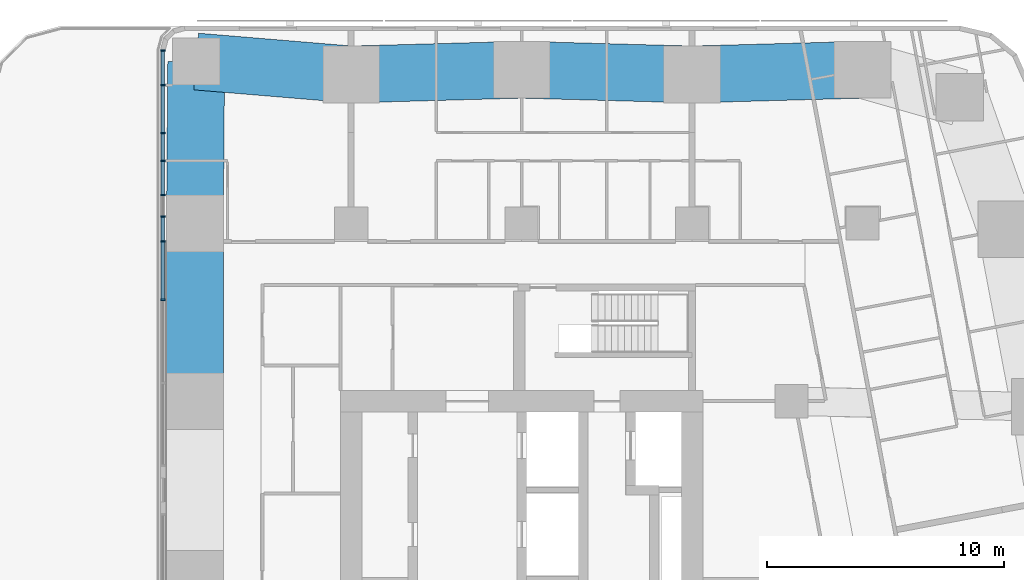
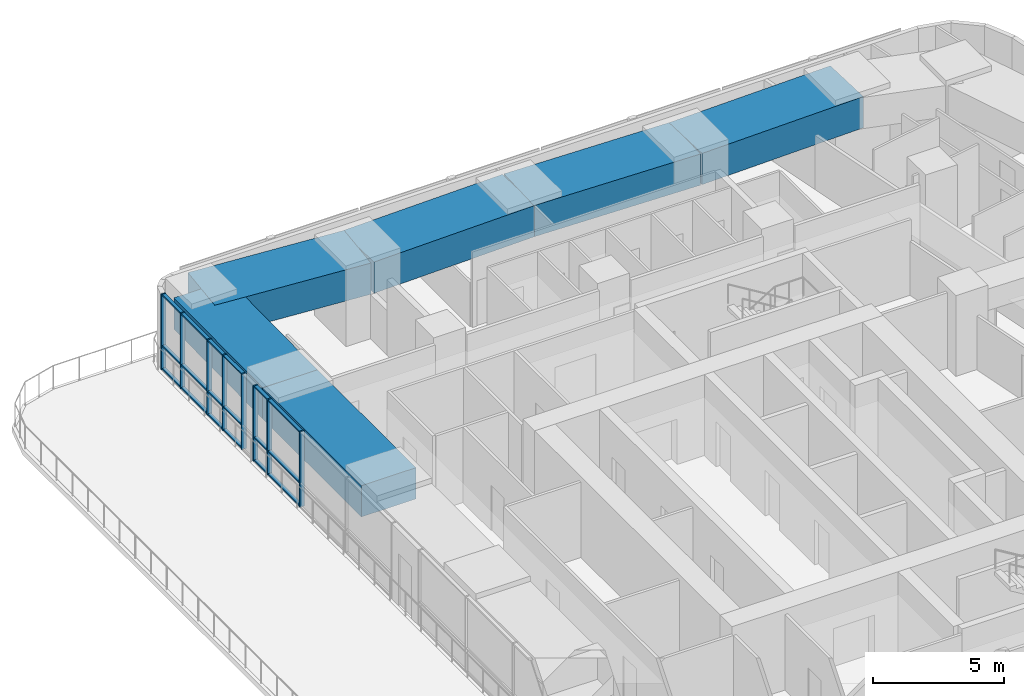
# One storey, part 5 of 17: 26 members, 6 beams, 1 element without a shape of its own.
"""IFC4 building model written with IfcOpenShell, lengths in metres."""

from ifc_helpers import new_model, si_unit, direction, frame, origin, origin_2d, place, context, subcontext, project, spatial, rectangle, extrude, material, material_profile, profile_set, type_object, element, aggregate, save


model = new_model("IFC4")

# Units and contexts
model_context = context("Model", 3, precision=1e-05, world=origin(), true_north=direction((0.0, 1.0)))
body_context = subcontext(model_context, "Body", "Model", "MODEL_VIEW")
ifc_project = project(units=[si_unit("LENGTHUNIT", "METRE"), si_unit("AREAUNIT", "SQUARE_METRE"), si_unit("VOLUMEUNIT", "CUBIC_METRE"), si_unit("PLANEANGLEUNIT", "RADIAN"), si_unit("MASSUNIT", "GRAM", prefix="KILO")], contexts=[model_context])

# Site, building, storey
site_placement = place(None, origin())
site = spatial("IfcSite", under=ifc_project, at=site_placement, CompositionType="ELEMENT")
building_placement = place(site_placement, origin())
building = spatial("IfcBuilding", under=site, at=building_placement, Name="Sheger Commons Tower", CompositionType="ELEMENT")
storey_placement = place(building_placement, frame((0.0, 0.0, 193.699951171875)))
storey = spatial("IfcBuildingStorey", under=building, at=storey_placement, Name="L49", CompositionType="ELEMENT", Elevation=193.699951171875)

# Curtain wall, members
ifc_material_1 = material(Name="Black aluminium curtain wall, dark tinted glazing", Category="aluminium")
curtain_wall_type = type_object("IfcCurtainWallType", Name="CURTAIN WALL CW4 GALLERY", PredefinedType="USERDEFINED", material=ifc_material_1)
curtain_wall_placement = place(storey_placement, origin())
curtain_wall = element("IfcCurtainWall", 1, at=curtain_wall_placement, inside=storey, type_object=curtain_wall_type, Name="Curtain Wall Cw4 Gallery W1 L49", ObjectType="UNITISED CURTAIN WALL", PredefinedType="USERDEFINED")
ifc_material_2 = material(Name="Black anodised aluminium", Category="aluminium")
ifc_material_profile_1 = material_profile(ifc_material_2, rectangle(XDim=0.199951171875, YDim=0.06494140625, at=origin_2d()), Name="AL 65x200")
ifc_profile_set_1 = profile_set([ifc_material_profile_1], Name="Black anodised aluminium")
member_type_1 = type_object("IfcMemberType", Name="MULLION AL 65x200", PredefinedType="MULLION", material=ifc_profile_set_1)
member_1_placement = place(storey_placement, frame((6.449951171875, 44.804443359375, 0.0), z_axis=(0.0, 0.0, 1.0), x_axis=(1.0, 0.0, 0.0)))
member_1 = element("IfcMember", 2, at=member_1_placement, type_object=member_type_1, Name="CW4 mullion 1", PredefinedType="MULLION", context=body_context, shape_type="SweptSolid", body=[
    extrude(rectangle(XDim=0.199951171875, YDim=0.06494140625, at=origin_2d()), origin(), (0.0, 0.0, 1.0), 3.5),
])
member_2_placement = place(storey_placement, frame((6.449951171875, 43.345947265625, 0.0), z_axis=(0.0, 0.0, 1.0), x_axis=(1.0, 0.0, 0.0)))
member_2 = element("IfcMember", 3, at=member_2_placement, type_object=member_type_1, Name="CW4 mullion 2", PredefinedType="MULLION", context=body_context, shape_type="SweptSolid", body=[
    extrude(rectangle(XDim=0.199951171875, YDim=0.06494140625, at=origin_2d()), origin(), (0.0, 0.0, 1.0), 3.5),
])
member_3_placement = place(storey_placement, frame((6.449951171875, 41.320068359375, 0.0), z_axis=(0.0, 0.0, 1.0), x_axis=(1.0, 0.0, 0.0)))
member_3 = element("IfcMember", 4, at=member_3_placement, type_object=member_type_1, Name="CW4 mullion 3", PredefinedType="MULLION", context=body_context, shape_type="SweptSolid", body=[
    extrude(rectangle(XDim=0.199951171875, YDim=0.06494140625, at=origin_2d()), origin(), (0.0, 0.0, 1.0), 3.5),
])
member_4_placement = place(storey_placement, frame((6.449951171875, 40.14990234375, 0.0), z_axis=(0.0, 0.0, 1.0), x_axis=(1.0, 0.0, 0.0)))
member_4 = element("IfcMember", 5, at=member_4_placement, type_object=member_type_1, Name="CW4 mullion 4", PredefinedType="MULLION", context=body_context, shape_type="SweptSolid", body=[
    extrude(rectangle(XDim=0.199951171875, YDim=0.06494140625, at=origin_2d()), origin(), (0.0, 0.0, 1.0), 3.5),
])
member_5_placement = place(storey_placement, frame((6.449951171875, 38.699951171875, 0.0), z_axis=(0.0, 0.0, 1.0), x_axis=(1.0, 0.0, 0.0)))
member_5 = element("IfcMember", 6, at=member_5_placement, type_object=member_type_1, Name="CW4 mullion 5", PredefinedType="MULLION", context=body_context, shape_type="SweptSolid", body=[
    extrude(rectangle(XDim=0.199951171875, YDim=0.06494140625, at=origin_2d()), origin(), (0.0, 0.0, 1.0), 3.5),
])
member_6_placement = place(storey_placement, frame((6.449951171875, 37.802001953125, 0.0), z_axis=(0.0, 0.0, 1.0), x_axis=(1.0, 0.0, 0.0)))
member_6 = element("IfcMember", 7, at=member_6_placement, type_object=member_type_1, Name="CW4 mullion 6", PredefinedType="MULLION", context=body_context, shape_type="SweptSolid", body=[
    extrude(rectangle(XDim=0.199951171875, YDim=0.06494140625, at=origin_2d()), origin(), (0.0, 0.0, 1.0), 3.5),
])
member_7_placement = place(storey_placement, frame((6.449951171875, 36.75, 0.0), z_axis=(0.0, 0.0, 1.0), x_axis=(1.0, 0.0, 0.0)))
member_7 = element("IfcMember", 8, at=member_7_placement, type_object=member_type_1, Name="CW4 mullion 7", PredefinedType="MULLION", context=body_context, shape_type="SweptSolid", body=[
    extrude(rectangle(XDim=0.199951171875, YDim=0.06494140625, at=origin_2d()), origin(), (0.0, 0.0, 1.0), 3.5),
])
member_8_placement = place(storey_placement, frame((6.449951171875, 34.284912109375, 0.0), z_axis=(0.0, 0.0, 1.0), x_axis=(1.0, 0.0, 0.0)))
member_8 = element("IfcMember", 9, at=member_8_placement, type_object=member_type_1, Name="CW4 mullion 8", PredefinedType="MULLION", context=body_context, shape_type="SweptSolid", body=[
    extrude(rectangle(XDim=0.199951171875, YDim=0.06494140625, at=origin_2d()), origin(), (0.0, 0.0, 1.0), 3.5),
])

# Beams
ifc_material_3 = material(Name="Concrete C50/60", Category="concrete")
ifc_material_profile_2 = material_profile(ifc_material_3, rectangle(XDim=2.39990234375, YDim=1.449951171875, at=origin_2d()), Name="RC 2400x1450")
ifc_profile_set_2 = profile_set([ifc_material_profile_2], Name="Concrete C50/60")
beam_type = type_object("IfcBeamType", Name="SPANDREL RC 2400x1450", PredefinedType="SPANDREL", material=ifc_profile_set_2)
for number, where, z_axis, x_axis, name in (
    (10, (36.0, 44.0, 2.775146484375), (-0.999614603568, -0.027760481514, 0.0), (0.027760481514, -0.999614603568, 0.0), "Beam 6/G-5/G under L50"),
    (11, (28.800048828125, 43.800048828125, 2.775146484375), (-0.999614603568, 0.027760481514, 0.0), (-0.027760481514, -0.999614603568, 0.0), "Beam 5/G-4/G under L50"),
):
    element("IfcBeam", number, at=place(storey_placement, frame(where, z_axis=z_axis, x_axis=x_axis)), inside=storey, type_object=beam_type, Name=name, PredefinedType="SPANDREL", context=body_context, shape_type="SweptSolid", body=[
        extrude(rectangle(XDim=2.39990234375, YDim=1.449951171875, at=origin_2d()), origin(), (0.0, 0.0, 1.0), 7.20263671875),
    ])
beam_1_placement = place(storey_placement, frame((21.60009765625, 44.0, 2.775146484375), z_axis=(-0.999614629688, -0.027759540951, 0.0), x_axis=(0.027759540951, -0.999614629688, 0.0)))
element("IfcBeam", 12, at=beam_1_placement, inside=storey, type_object=beam_type, Name="Beam 4/G-3/G under L50", PredefinedType="SPANDREL", context=body_context, shape_type="SweptSolid", body=[
    extrude(rectangle(XDim=2.39990234375, YDim=1.449951171875, at=origin_2d()), origin(), (0.0, 0.0, 1.0), 7.202880859375),
])
beam_2_placement = place(storey_placement, frame((14.39990234375, 43.800048828125, 2.775146484375), z_axis=(-0.996540629765, 0.083106998663, 0.0), x_axis=(-0.083106998663, -0.996540629765, 0.0)))
element("IfcBeam", 13, at=beam_2_placement, inside=storey, type_object=beam_type, Name="Beam 3/G-2/G under L50", PredefinedType="SPANDREL", context=body_context, shape_type="SweptSolid", body=[
    extrude(rectangle(XDim=2.39990234375, YDim=1.449951171875, at=origin_2d()), origin(), (0.0, 0.0, 1.0), 6.568603515625),
])
beam_3_placement = place(storey_placement, frame((7.85400390625, 44.345947265625, 2.775146484375), z_axis=(-0.00788107188, -0.999968943871, 0.0), x_axis=(0.999968943871, -0.00788107188, 0.0)))
element("IfcBeam", 14, at=beam_3_placement, inside=storey, type_object=beam_type, Name="Beam 2/G-2/F under L50", PredefinedType="SPANDREL", context=body_context, shape_type="SweptSolid", body=[
    extrude(rectangle(XDim=2.39990234375, YDim=1.449951171875, at=origin_2d()), origin(), (0.0, 0.0, 1.0), 6.84619140625),
])
beam_4_placement = place(storey_placement, frame((7.800048828125, 37.5, 2.775146484375), z_axis=(0.0, -1.0, 0.0), x_axis=(1.0, 0.0, 0.0)))
element("IfcBeam", 15, at=beam_4_placement, inside=storey, type_object=beam_type, Name="Beam 2/F-2/E under L50", PredefinedType="SPANDREL", context=body_context, shape_type="SweptSolid", body=[
    extrude(rectangle(XDim=2.39990234375, YDim=1.449951171875, at=origin_2d()), origin(), (0.0, 0.0, 1.0), 7.5),
])

# Member
ifc_material_4 = material(Name="Black anodised aluminium", Category="aluminium")
ifc_material_profile_3 = material_profile(ifc_material_4, rectangle(XDim=0.14990234375, YDim=0.06494140625, at=origin_2d()), Name="AL 65x150")
ifc_profile_set_3 = profile_set([ifc_material_profile_3], Name="Black anodised aluminium")
member_type_2 = type_object("IfcMemberType", Name="TRANSOM AL 65x150", PredefinedType="USERDEFINED", material=ifc_profile_set_3)
member_9_placement = place(storey_placement, frame((6.449951171875, 44.77197265625, 0.032470703125), z_axis=(0.0, -1.0, 0.0), x_axis=(1.0, 0.0, 0.0)))
member_9 = element("IfcMember", 16, at=member_9_placement, type_object=member_type_2, Name="CW4 transom 1.1", ObjectType="TRANSOM", PredefinedType="USERDEFINED", context=body_context, shape_type="SweptSolid", body=[
    extrude(rectangle(XDim=0.14990234375, YDim=0.06494140625, at=origin_2d()), origin(), (0.0, 0.0, 1.0), 1.3935546875),
])

member_10_placement = place(storey_placement, frame((6.449951171875, 44.77197265625, 1.10009765625), z_axis=(0.0, -1.0, 0.0), x_axis=(1.0, 0.0, 0.0)))
member_10 = element("IfcMember", 17, at=member_10_placement, type_object=member_type_2, Name="CW4 transom 1.2", ObjectType="TRANSOM", PredefinedType="USERDEFINED", context=body_context, shape_type="SweptSolid", body=[
    extrude(rectangle(XDim=0.14990234375, YDim=0.06494140625, at=origin_2d()), origin(), (0.0, 0.0, 1.0), 1.3935546875),
])

member_11_placement = place(storey_placement, frame((6.449951171875, 44.77197265625, 3.467529296875), z_axis=(0.0, -1.0, 0.0), x_axis=(1.0, 0.0, 0.0)))
member_11 = element("IfcMember", 18, at=member_11_placement, type_object=member_type_2, Name="CW4 transom 1.3", ObjectType="TRANSOM", PredefinedType="USERDEFINED", context=body_context, shape_type="SweptSolid", body=[
    extrude(rectangle(XDim=0.14990234375, YDim=0.06494140625, at=origin_2d()), origin(), (0.0, 0.0, 1.0), 1.3935546875),
])

member_12_placement = place(storey_placement, frame((6.449951171875, 43.3134765625, 0.032470703125), z_axis=(0.0, -1.0, 0.0), x_axis=(1.0, 0.0, 0.0)))
member_12 = element("IfcMember", 19, at=member_12_placement, type_object=member_type_2, Name="CW4 transom 2.1", ObjectType="TRANSOM", PredefinedType="USERDEFINED", context=body_context, shape_type="SweptSolid", body=[
    extrude(rectangle(XDim=0.14990234375, YDim=0.06494140625, at=origin_2d()), origin(), (0.0, 0.0, 1.0), 1.9609375),
])

member_13_placement = place(storey_placement, frame((6.449951171875, 43.3134765625, 1.10009765625), z_axis=(0.0, -1.0, 0.0), x_axis=(1.0, 0.0, 0.0)))
member_13 = element("IfcMember", 20, at=member_13_placement, type_object=member_type_2, Name="CW4 transom 2.2", ObjectType="TRANSOM", PredefinedType="USERDEFINED", context=body_context, shape_type="SweptSolid", body=[
    extrude(rectangle(XDim=0.14990234375, YDim=0.06494140625, at=origin_2d()), origin(), (0.0, 0.0, 1.0), 1.9609375),
])

member_14_placement = place(storey_placement, frame((6.449951171875, 43.3134765625, 3.467529296875), z_axis=(0.0, -1.0, 0.0), x_axis=(1.0, 0.0, 0.0)))
member_14 = element("IfcMember", 21, at=member_14_placement, type_object=member_type_2, Name="CW4 transom 2.3", ObjectType="TRANSOM", PredefinedType="USERDEFINED", context=body_context, shape_type="SweptSolid", body=[
    extrude(rectangle(XDim=0.14990234375, YDim=0.06494140625, at=origin_2d()), origin(), (0.0, 0.0, 1.0), 1.9609375),
])

member_15_placement = place(storey_placement, frame((6.449951171875, 41.28759765625, 0.032470703125), z_axis=(0.0, -1.0, 0.0), x_axis=(1.0, 0.0, 0.0)))
member_15 = element("IfcMember", 22, at=member_15_placement, type_object=member_type_2, Name="CW4 transom 3.1", ObjectType="TRANSOM", PredefinedType="USERDEFINED", context=body_context, shape_type="SweptSolid", body=[
    extrude(rectangle(XDim=0.14990234375, YDim=0.06494140625, at=origin_2d()), origin(), (0.0, 0.0, 1.0), 1.10498046875),
])

member_16_placement = place(storey_placement, frame((6.449951171875, 41.28759765625, 1.10009765625), z_axis=(0.0, -1.0, 0.0), x_axis=(1.0, 0.0, 0.0)))
member_16 = element("IfcMember", 23, at=member_16_placement, type_object=member_type_2, Name="CW4 transom 3.2", ObjectType="TRANSOM", PredefinedType="USERDEFINED", context=body_context, shape_type="SweptSolid", body=[
    extrude(rectangle(XDim=0.14990234375, YDim=0.06494140625, at=origin_2d()), origin(), (0.0, 0.0, 1.0), 1.10498046875),
])

member_17_placement = place(storey_placement, frame((6.449951171875, 41.28759765625, 3.467529296875), z_axis=(0.0, -1.0, 0.0), x_axis=(1.0, 0.0, 0.0)))
member_17 = element("IfcMember", 24, at=member_17_placement, type_object=member_type_2, Name="CW4 transom 3.3", ObjectType="TRANSOM", PredefinedType="USERDEFINED", context=body_context, shape_type="SweptSolid", body=[
    extrude(rectangle(XDim=0.14990234375, YDim=0.06494140625, at=origin_2d()), origin(), (0.0, 0.0, 1.0), 1.10498046875),
])

member_18_placement = place(storey_placement, frame((6.449951171875, 40.117431640625, 0.032470703125), z_axis=(0.0, -1.0, 0.0), x_axis=(1.0, 0.0, 0.0)))
member_18 = element("IfcMember", 25, at=member_18_placement, type_object=member_type_2, Name="CW4 transom 4.1", ObjectType="TRANSOM", PredefinedType="USERDEFINED", context=body_context, shape_type="SweptSolid", body=[
    extrude(rectangle(XDim=0.14990234375, YDim=0.06494140625, at=origin_2d()), origin(), (0.0, 0.0, 1.0), 1.385009765625),
])

member_19_placement = place(storey_placement, frame((6.449951171875, 40.117431640625, 1.10009765625), z_axis=(0.0, -1.0, 0.0), x_axis=(1.0, 0.0, 0.0)))
member_19 = element("IfcMember", 26, at=member_19_placement, type_object=member_type_2, Name="CW4 transom 4.2", ObjectType="TRANSOM", PredefinedType="USERDEFINED", context=body_context, shape_type="SweptSolid", body=[
    extrude(rectangle(XDim=0.14990234375, YDim=0.06494140625, at=origin_2d()), origin(), (0.0, 0.0, 1.0), 1.385009765625),
])

member_20_placement = place(storey_placement, frame((6.449951171875, 40.117431640625, 3.467529296875), z_axis=(0.0, -1.0, 0.0), x_axis=(1.0, 0.0, 0.0)))
member_20 = element("IfcMember", 27, at=member_20_placement, type_object=member_type_2, Name="CW4 transom 4.3", ObjectType="TRANSOM", PredefinedType="USERDEFINED", context=body_context, shape_type="SweptSolid", body=[
    extrude(rectangle(XDim=0.14990234375, YDim=0.06494140625, at=origin_2d()), origin(), (0.0, 0.0, 1.0), 1.385009765625),
])

member_21_placement = place(storey_placement, frame((6.449951171875, 37.76953125, 0.032470703125), z_axis=(0.0, -1.0, 0.0), x_axis=(1.0, 0.0, 0.0)))
member_21 = element("IfcMember", 28, at=member_21_placement, type_object=member_type_2, Name="CW4 transom 6.1", ObjectType="TRANSOM", PredefinedType="USERDEFINED", context=body_context, shape_type="SweptSolid", body=[
    extrude(rectangle(XDim=0.14990234375, YDim=0.06494140625, at=origin_2d()), origin(), (0.0, 0.0, 1.0), 0.987060546875),
])

member_22_placement = place(storey_placement, frame((6.449951171875, 37.76953125, 1.10009765625), z_axis=(0.0, -1.0, 0.0), x_axis=(1.0, 0.0, 0.0)))
member_22 = element("IfcMember", 29, at=member_22_placement, type_object=member_type_2, Name="CW4 transom 6.2", ObjectType="TRANSOM", PredefinedType="USERDEFINED", context=body_context, shape_type="SweptSolid", body=[
    extrude(rectangle(XDim=0.14990234375, YDim=0.06494140625, at=origin_2d()), origin(), (0.0, 0.0, 1.0), 0.987060546875),
])

member_23_placement = place(storey_placement, frame((6.449951171875, 37.76953125, 3.467529296875), z_axis=(0.0, -1.0, 0.0), x_axis=(1.0, 0.0, 0.0)))
member_23 = element("IfcMember", 30, at=member_23_placement, type_object=member_type_2, Name="CW4 transom 6.3", ObjectType="TRANSOM", PredefinedType="USERDEFINED", context=body_context, shape_type="SweptSolid", body=[
    extrude(rectangle(XDim=0.14990234375, YDim=0.06494140625, at=origin_2d()), origin(), (0.0, 0.0, 1.0), 0.987060546875),
])

member_24_placement = place(storey_placement, frame((6.449951171875, 36.717529296875, 0.032470703125), z_axis=(0.0, -1.0, 0.0), x_axis=(1.0, 0.0, 0.0)))
member_24 = element("IfcMember", 31, at=member_24_placement, type_object=member_type_2, Name="CW4 transom 7.1", ObjectType="TRANSOM", PredefinedType="USERDEFINED", context=body_context, shape_type="SweptSolid", body=[
    extrude(rectangle(XDim=0.14990234375, YDim=0.06494140625, at=origin_2d()), origin(), (0.0, 0.0, 1.0), 2.400146484375),
])

member_25_placement = place(storey_placement, frame((6.449951171875, 36.717529296875, 1.10009765625), z_axis=(0.0, -1.0, 0.0), x_axis=(1.0, 0.0, 0.0)))
member_25 = element("IfcMember", 32, at=member_25_placement, type_object=member_type_2, Name="CW4 transom 7.2", ObjectType="TRANSOM", PredefinedType="USERDEFINED", context=body_context, shape_type="SweptSolid", body=[
    extrude(rectangle(XDim=0.14990234375, YDim=0.06494140625, at=origin_2d()), origin(), (0.0, 0.0, 1.0), 2.400146484375),
])

member_26_placement = place(storey_placement, frame((6.449951171875, 36.717529296875, 3.467529296875), z_axis=(0.0, -1.0, 0.0), x_axis=(1.0, 0.0, 0.0)))
member_26 = element("IfcMember", 33, at=member_26_placement, type_object=member_type_2, Name="CW4 transom 7.3", ObjectType="TRANSOM", PredefinedType="USERDEFINED", context=body_context, shape_type="SweptSolid", body=[
    extrude(rectangle(XDim=0.14990234375, YDim=0.06494140625, at=origin_2d()), origin(), (0.0, 0.0, 1.0), 2.400146484375),
])

aggregate(curtain_wall, [member_1, member_2, member_3, member_4, member_5, member_6, member_7, member_8, member_9, member_10, member_11, member_12, member_13, member_14, member_15, member_16, member_17, member_18, member_19, member_20, member_21, member_22, member_23, member_24, member_25, member_26])

save(model, "model.ifc")
